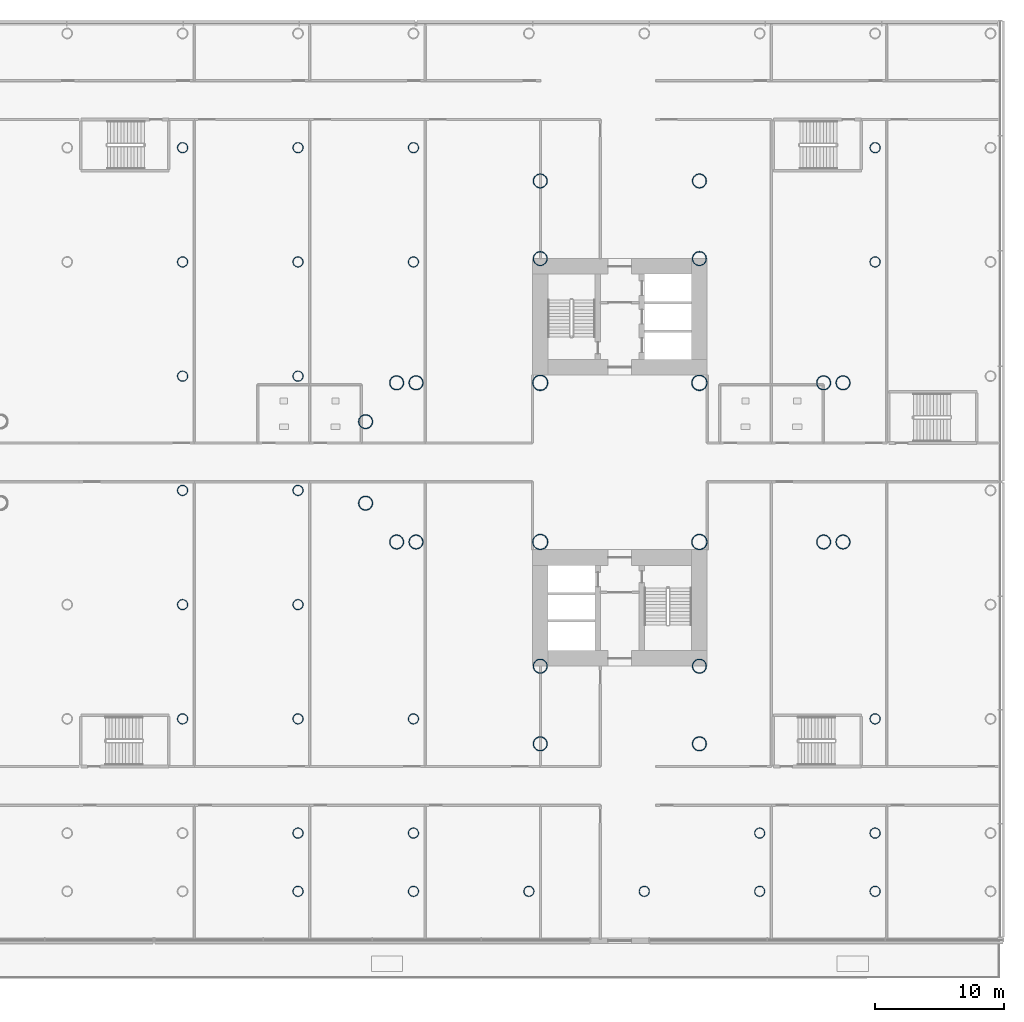
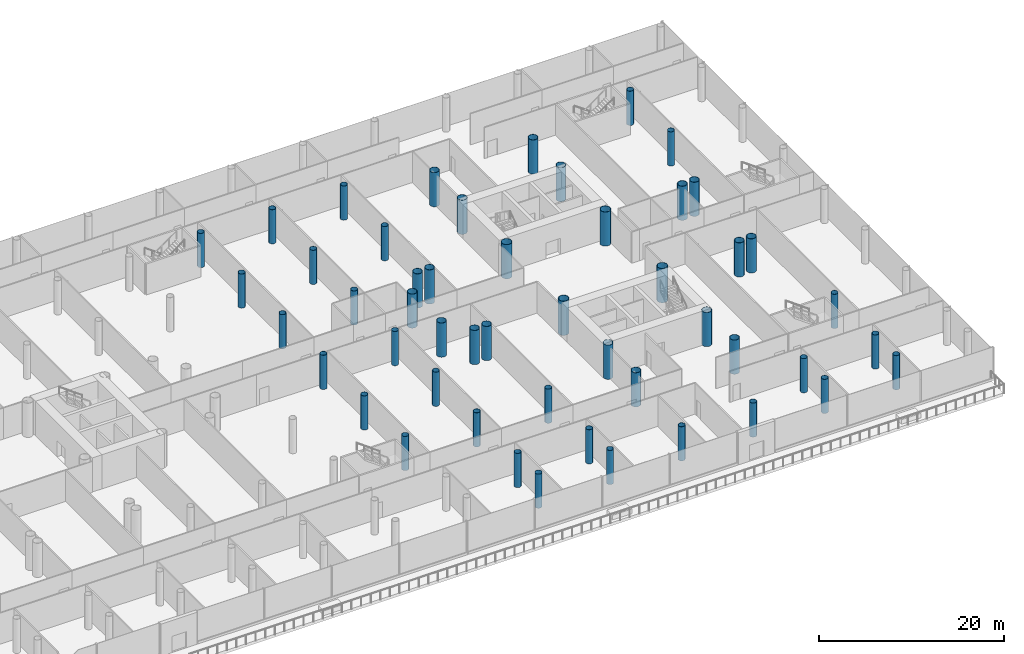
# One storey, part 2 of 49: 50 columns.
"""IFC4 building model written with IfcOpenShell, lengths in metres."""

from ifc_helpers import new_model, si_unit, direction, frame, origin, origin_2d, place, context, subcontext, project, spatial, hollow_circle, extrude, material, material_profile, profile_set, type_object, element, save


model = new_model("IFC4")

# Units and contexts
model_context = context("Model", 3, precision=1e-05, world=origin(), true_north=direction((0.0, 1.0)))
body_context = subcontext(model_context, "Body", "Model", "MODEL_VIEW")
ifc_project = project(units=[si_unit("LENGTHUNIT", "METRE"), si_unit("AREAUNIT", "SQUARE_METRE"), si_unit("VOLUMEUNIT", "CUBIC_METRE"), si_unit("PLANEANGLEUNIT", "RADIAN"), si_unit("MASSUNIT", "GRAM", prefix="KILO")], contexts=[model_context])

# Site, building, storey
site_placement = place(None, origin())
site = spatial("IfcSite", under=ifc_project, at=site_placement, CompositionType="ELEMENT")
building_placement = place(site_placement, origin())
building = spatial("IfcBuilding", under=site, at=building_placement, Name="Ipe Terrace Towers", CompositionType="ELEMENT")
storey_placement = place(building_placement, frame((0.0, 0.0, 11.0)))
storey = spatial("IfcBuildingStorey", under=building, at=storey_placement, Name="L02", CompositionType="ELEMENT", Elevation=11.0)

# Columns
ifc_material_1 = material(Name="Steel S355 tube with Concrete C60/75 fill", Category="concrete")
ifc_material_profile_1 = material_profile(ifc_material_1, hollow_circle(Radius=0.550048828125, WallThickness=0.0400390625, at=origin_2d()), Name="CHS-1100x40")
ifc_profile_set_1 = profile_set([ifc_material_profile_1], Name="Steel S355 tube with Concrete C60/75 fill")
column_type_1 = type_object("IfcColumnType", Name="CH02 COLUMN CHS-1100x40", PredefinedType="COLUMN", material=ifc_profile_set_1)
for number, where, z_axis, x_axis, name in (
    (1, (42.14990234375, 15.75, 0.0), (0.0, 0.0, 1.0), (1.0, 0.0, 0.0), "Column T2-C-A01"),
    (2, (29.85009765625, 15.75, 0.0), (0.0, 0.0, 1.0), (1.0, 0.0, 0.0), "Column T2-C-A02"),
    (3, (42.14990234375, 21.75, 0.0), (0.0, 0.0, 1.0), (1.0, 0.0, 0.0), "Column T2-C-A03"),
    (4, (29.85009765625, 21.75, 0.0), (0.0, 0.0, 1.0), (1.0, 0.0, 0.0), "Column T2-C-A04"),
    (5, (20.25, 6.14990234375, 0.0), (0.0, 0.0, 1.0), (1.0, 0.0, 0.0), "Column T2-C-B03"),
    (6, (20.25, -6.14990234375, 0.0), (0.0, 0.0, 1.0), (1.0, 0.0, 0.0), "Column T2-C-B04"),
    (7, (18.75, 6.14990234375, 0.0), (0.0, 0.0, 1.0), (1.0, 0.0, 0.0), "Column T2-C-B05"),
    (8, (18.75, -6.14990234375, 0.0), (0.0, 0.0, 1.0), (1.0, 0.0, 0.0), "Column T2-C-B06"),
    (9, (16.35009765625, 3.14990234375, 0.0), (0.0, 0.0, 1.0), (1.0, 0.0, 0.0), "Column T2-C-B07"),
    (10, (16.35009765625, -3.14990234375, 0.0), (0.0, 0.0, 1.0), (1.0, 0.0, 0.0), "Column T2-C-B08"),
    (11, (42.14990234375, -15.75, 0.0), (0.0, 0.0, 1.0), (1.0, 0.0, 0.0), "Column T2-C-C01"),
    (12, (29.85009765625, -15.75, 0.0), (0.0, 0.0, 1.0), (1.0, 0.0, 0.0), "Column T2-C-C02"),
    (13, (42.14990234375, -21.75, 0.0), (0.0, 0.0, 1.0), (1.0, 0.0, 0.0), "Column T2-C-C03"),
    (14, (29.85009765625, -21.75, 0.0), (0.0, 0.0, 1.0), (1.0, 0.0, 0.0), "Column T2-C-C04"),
    (15, (51.75, -6.14990234375, 0.0), (0.0, 0.0, 1.0), (1.0, 0.0, 0.0), "Column T2-C-D03"),
    (16, (51.75, 6.14990234375, 0.0), (0.0, 0.0, 1.0), (1.0, 0.0, 0.0), "Column T2-C-D04"),
    (17, (53.25, -6.14990234375, 0.0), (0.0, 0.0, 1.0), (1.0, 0.0, 0.0), "Column T2-C-D05"),
    (18, (53.25, 6.14990234375, 0.0), (0.0, 0.0, 1.0), (1.0, 0.0, 0.0), "Column T2-C-D06"),
):
    element("IfcColumn", number, at=place(storey_placement, frame(where, z_axis=z_axis, x_axis=x_axis)), inside=storey, type_object=column_type_1, Name=name, PredefinedType="COLUMN", context=body_context, shape_type="SweptSolid", body=[
        extrude(hollow_circle(Radius=0.550048828125, WallThickness=0.0400390625, at=origin_2d()), origin(), (0.0, 0.0, 1.0), 4.5),
    ])
ifc_material_2 = material(Name="Steel S355 tube with Concrete C60/75 fill", Category="concrete")
ifc_material_profile_2 = material_profile(ifc_material_2, hollow_circle(Radius=0.60009765625, WallThickness=0.044921875, at=origin_2d()), Name="CHS-1200x45")
ifc_profile_set_2 = profile_set([ifc_material_profile_2], Name="Steel S355 tube with Concrete C60/75 fill")
column_type_2 = type_object("IfcColumnType", Name="CH03 COLUMN CHS-1200x45", PredefinedType="COLUMN", material=ifc_profile_set_2)
for number, where, z_axis, x_axis, name in (
    (19, (42.14990234375, -6.14990234375, 0.0), (0.0, 0.0, 1.0), (1.0, 0.0, 0.0), "Column T2-C-E01"),
    (20, (42.14990234375, 6.14990234375, 0.0), (0.0, 0.0, 1.0), (1.0, 0.0, 0.0), "Column T2-C-E02"),
    (21, (29.85009765625, 6.14990234375, 0.0), (0.0, 0.0, 1.0), (1.0, 0.0, 0.0), "Column T2-C-E03"),
    (22, (29.85009765625, -6.14990234375, 0.0), (0.0, 0.0, 1.0), (1.0, 0.0, 0.0), "Column T2-C-E04"),
):
    element("IfcColumn", number, at=place(storey_placement, frame(where, z_axis=z_axis, x_axis=x_axis)), inside=storey, type_object=column_type_2, Name=name, PredefinedType="COLUMN", context=body_context, shape_type="SweptSolid", body=[
        extrude(hollow_circle(Radius=0.60009765625, WallThickness=0.044921875, at=origin_2d()), origin(), (0.0, 0.0, 1.0), 4.5),
    ])
ifc_material_3 = material(Name="Steel S355 tube with Concrete C60/75 fill", Category="concrete")
ifc_material_profile_3 = material_profile(ifc_material_3, hollow_circle(Radius=0.39990234375, WallThickness=0.028076171875, at=origin_2d()), Name="CHS-800x28")
ifc_profile_set_3 = profile_set([ifc_material_profile_3], Name="Steel S355 tube with Concrete C60/75 fill")
column_type_3 = type_object("IfcColumnType", Name="CH09 PODIUM COLUMN CHS-800x28", PredefinedType="COLUMN", material=ifc_profile_set_3)
for number, where, z_axis, x_axis, name in (
    (23, (11.1298828125, -33.14990234375, 0.0), (0.0, 0.0, 1.0), (1.0, 0.0, 0.0), "Column PD-C-C10"),
    (24, (20.050048828125, -33.14990234375, 0.0), (0.0, 0.0, 1.0), (1.0, 0.0, 0.0), "Column PD-C-C11"),
    (25, (28.969970703125, -33.14990234375, 0.0), (0.0, 0.0, 1.0), (1.0, 0.0, 0.0), "Column PD-C-C12"),
    (26, (37.889892578125, -33.14990234375, 0.0), (0.0, 0.0, 1.0), (1.0, 0.0, 0.0), "Column PD-C-C13"),
    (27, (46.81005859375, -33.14990234375, 0.0), (0.0, 0.0, 1.0), (1.0, 0.0, 0.0), "Column PD-C-C14"),
    (28, (55.72998046875, -33.14990234375, 0.0), (0.0, 0.0, 1.0), (1.0, 0.0, 0.0), "Column PD-C-C15"),
    (29, (11.1298828125, -28.64990234375, 0.0), (0.0, 0.0, 1.0), (1.0, 0.0, 0.0), "Column PD-C-D10"),
    (30, (20.050048828125, -28.64990234375, 0.0), (0.0, 0.0, 1.0), (1.0, 0.0, 0.0), "Column PD-C-D11"),
    (31, (46.81005859375, -28.64990234375, 0.0), (0.0, 0.0, 1.0), (1.0, 0.0, 0.0), "Column PD-C-D14"),
    (32, (55.72998046875, -28.64990234375, 0.0), (0.0, 0.0, 1.0), (1.0, 0.0, 0.0), "Column PD-C-D15"),
    (33, (2.2099609375, -19.821044921875, 0.0), (0.0, 0.0, 1.0), (1.0, 0.0, 0.0), "Column PD-C-E09"),
    (34, (11.1298828125, -19.821044921875, 0.0), (0.0, 0.0, 1.0), (1.0, 0.0, 0.0), "Column PD-C-E10"),
    (35, (20.050048828125, -19.821044921875, 0.0), (0.0, 0.0, 1.0), (1.0, 0.0, 0.0), "Column PD-C-E11"),
    (36, (55.72998046875, -19.821044921875, 0.0), (0.0, 0.0, 1.0), (1.0, 0.0, 0.0), "Column PD-C-E15"),
    (37, (2.2099609375, -10.992919921875, 0.0), (0.0, 0.0, 1.0), (1.0, 0.0, 0.0), "Column PD-C-F09"),
    (38, (11.1298828125, -10.992919921875, 0.0), (0.0, 0.0, 1.0), (1.0, 0.0, 0.0), "Column PD-C-F10"),
    (39, (2.2099609375, -2.1640625, 0.0), (0.0, 0.0, 1.0), (1.0, 0.0, 0.0), "Column PD-C-G09"),
    (40, (11.1298828125, -2.1640625, 0.0), (0.0, 0.0, 1.0), (1.0, 0.0, 0.0), "Column PD-C-G10"),
    (41, (2.2099609375, 6.6640625, 0.0), (0.0, 0.0, 1.0), (1.0, 0.0, 0.0), "Column PD-C-H09"),
    (42, (11.1298828125, 6.6640625, 0.0), (0.0, 0.0, 1.0), (1.0, 0.0, 0.0), "Column PD-C-H10"),
    (43, (2.2099609375, 15.492919921875, 0.0), (0.0, 0.0, 1.0), (1.0, 0.0, 0.0), "Column PD-C-I09"),
    (44, (11.1298828125, 15.492919921875, 0.0), (0.0, 0.0, 1.0), (1.0, 0.0, 0.0), "Column PD-C-I10"),
    (45, (20.050048828125, 15.492919921875, 0.0), (0.0, 0.0, 1.0), (1.0, 0.0, 0.0), "Column PD-C-I11"),
    (46, (55.72998046875, 15.492919921875, 0.0), (0.0, 0.0, 1.0), (1.0, 0.0, 0.0), "Column PD-C-I15"),
    (47, (2.2099609375, 24.321044921875, 0.0), (0.0, 0.0, 1.0), (1.0, 0.0, 0.0), "Column PD-C-J09"),
    (48, (11.1298828125, 24.321044921875, 0.0), (0.0, 0.0, 1.0), (1.0, 0.0, 0.0), "Column PD-C-J10"),
    (49, (20.050048828125, 24.321044921875, 0.0), (0.0, 0.0, 1.0), (1.0, 0.0, 0.0), "Column PD-C-J11"),
    (50, (55.72998046875, 24.321044921875, 0.0), (0.0, 0.0, 1.0), (1.0, 0.0, 0.0), "Column PD-C-J15"),
):
    element("IfcColumn", number, at=place(storey_placement, frame(where, z_axis=z_axis, x_axis=x_axis)), inside=storey, type_object=column_type_3, Name=name, PredefinedType="COLUMN", context=body_context, shape_type="SweptSolid", body=[
        extrude(hollow_circle(Radius=0.39990234375, WallThickness=0.028076171875, at=origin_2d()), origin(), (0.0, 0.0, 1.0), 4.5),
    ])

save(model, "model.ifc")
